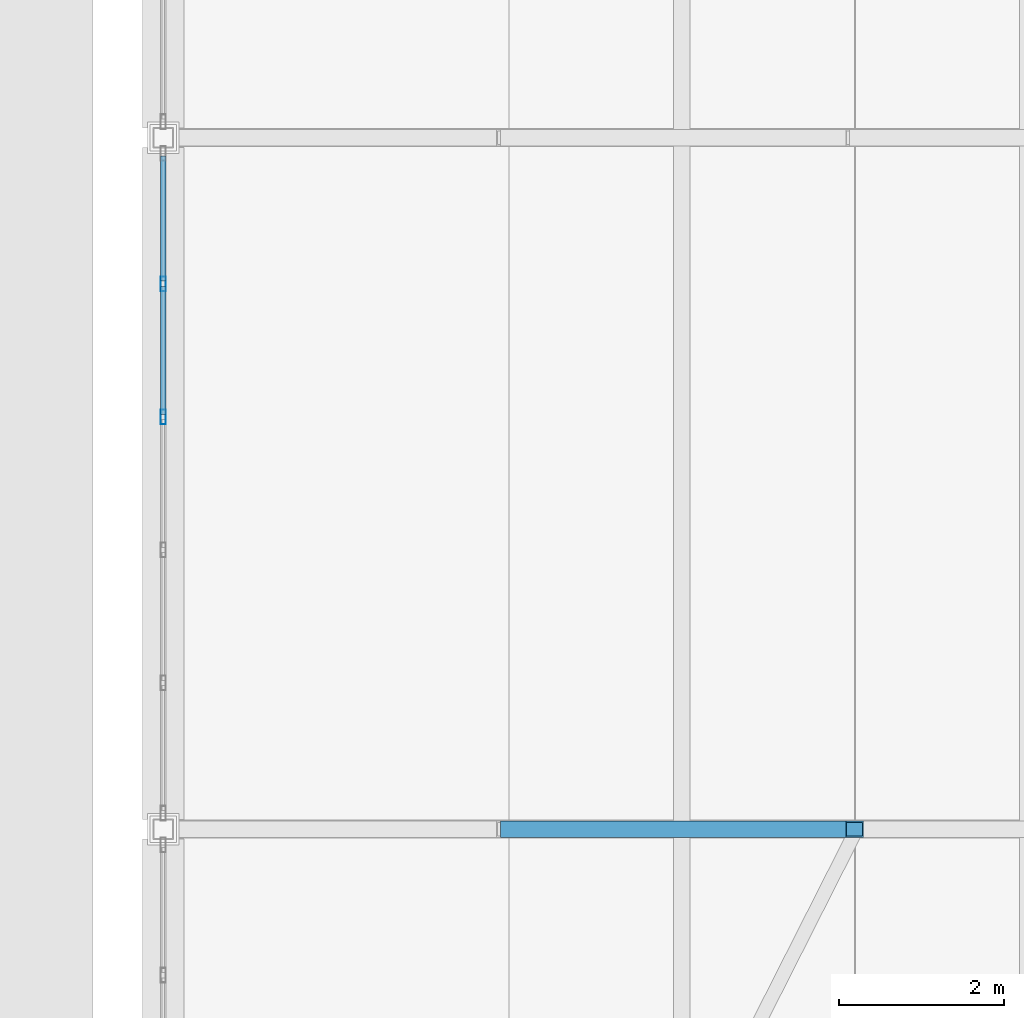
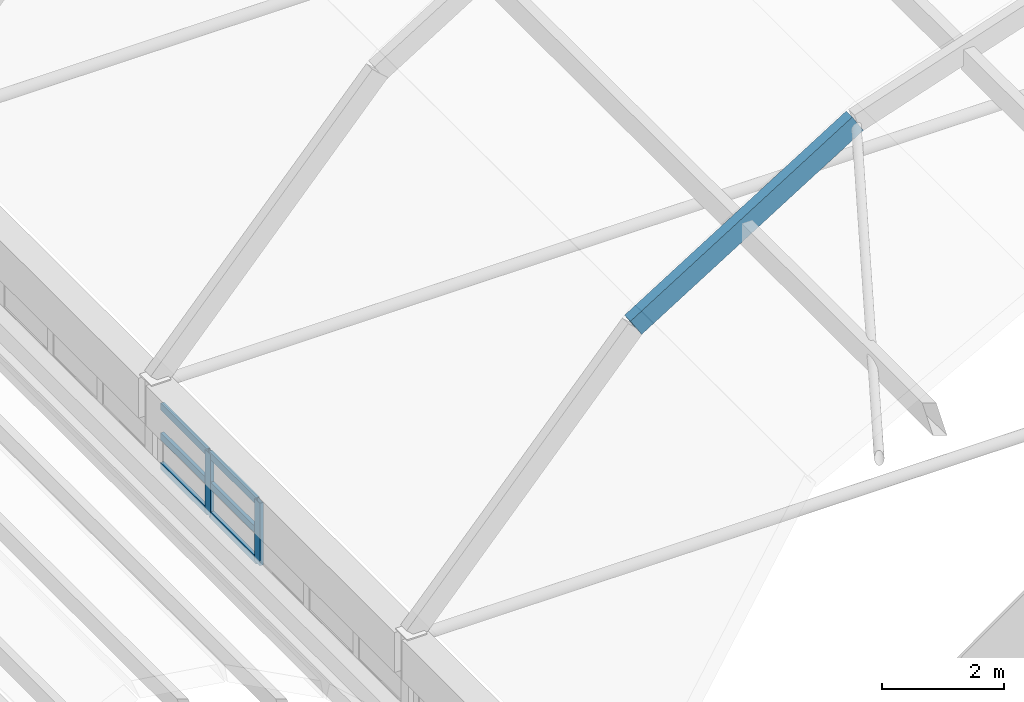
# One storey, part 15 of 114: 8 members, 1 beam, 1 element without a shape of its own.
"""IFC4 building model written with IfcOpenShell, lengths in metres."""

from ifc_helpers import new_model, si_unit, direction, frame, origin, origin_2d, place, context, subcontext, project, spatial, hollow_rectangle, extrude, material, layer, layer_set, material_profile, profile_set, type_object, element, aggregate, save


model = new_model("IFC4")

# Units and contexts
model_context = context("Model", 3, precision=1e-05, world=origin(), true_north=direction((0.0, 1.0)))
body_context = subcontext(model_context, "Body", "Model", "MODEL_VIEW")
ifc_project = project(units=[si_unit("LENGTHUNIT", "METRE"), si_unit("AREAUNIT", "SQUARE_METRE"), si_unit("VOLUMEUNIT", "CUBIC_METRE"), si_unit("PLANEANGLEUNIT", "RADIAN"), si_unit("MASSUNIT", "GRAM", prefix="KILO")], contexts=[model_context])

# Site, building, storey
site_placement = place(None, origin())
site = spatial("IfcSite", under=ifc_project, at=site_placement, CompositionType="ELEMENT")
building_placement = place(site_placement, origin())
building = spatial("IfcBuilding", under=site, at=building_placement, Name="Xazarin Passage Department Store", CompositionType="ELEMENT")
storey_placement = place(building_placement, frame((0.0, 0.0, 14.39990234375)))
storey = spatial("IfcBuildingStorey", under=building, at=storey_placement, Name="L03", CompositionType="ELEMENT", Elevation=14.39990234375)

# Curtain wall, members
ifc_material_1 = material(Name="Bronze anodised aluminium", Category="aluminium")
ifc_layer = layer(ifc_material_1, 0.159912109375)
ifc_layer_set = layer_set([ifc_layer], Name="Bronze anodised aluminium")
curtain_wall_type = type_object("IfcCurtainWallType", Name="ARC-CW-ARC1", PredefinedType="NOTDEFINED", material=ifc_layer_set)
curtain_wall_placement = place(storey_placement, origin())
curtain_wall = element("IfcCurtainWall", 1, at=curtain_wall_placement, inside=storey, type_object=curtain_wall_type, Name="L03 V2S Galleria Clerestory Curtain Wall 2W", PredefinedType="NOTDEFINED")
ifc_material_profile_1 = material_profile(ifc_material_1, hollow_rectangle(XDim=0.06494140625, YDim=0.179931640625, WallThickness=0.00390625, at=origin_2d()), Name="ALU 65x180")
ifc_profile_set_1 = profile_set([ifc_material_profile_1], Name="Bronze anodised aluminium")
member_type_1 = type_object("IfcMemberType", Name="ARC-CWM-65x180", PredefinedType="MULLION", material=ifc_profile_set_1)
member_1_placement = place(storey_placement, frame((68.0, 13.407958984375, 0.0), z_axis=(0.0, 0.0, 1.0), x_axis=(-1.0, 0.0, 0.0)))
member_1 = element("IfcMember", 2, at=member_1_placement, type_object=member_type_1, Name="CW3 mullion 4", PredefinedType="MULLION", context=body_context, shape_type="SweptSolid", body=[
    extrude(hollow_rectangle(XDim=0.06494140625, YDim=0.179931640625, WallThickness=0.00390625, at=origin_2d()), origin(), (0.0, 0.0, 1.0), 1.251708984375),
])
member_2_placement = place(storey_placement, frame((68.0, 15.02392578125, 0.0), z_axis=(0.0, 0.0, 1.0), x_axis=(-1.0, 0.0, 0.0)))
member_2 = element("IfcMember", 3, at=member_2_placement, type_object=member_type_1, Name="CW3 mullion 5", PredefinedType="MULLION", context=body_context, shape_type="SweptSolid", body=[
    extrude(hollow_rectangle(XDim=0.06494140625, YDim=0.179931640625, WallThickness=0.00390625, at=origin_2d()), origin(), (0.0, 0.0, 1.0), 1.251708984375),
])
ifc_material_profile_2 = material_profile(ifc_material_1, hollow_rectangle(XDim=0.06494140625, YDim=0.139892578125, WallThickness=0.00390625, at=origin_2d()), Name="ALU 65x140")
ifc_profile_set_2 = profile_set([ifc_material_profile_2], Name="Bronze anodised aluminium")
member_type_2 = type_object("IfcMemberType", Name="ARC-CWT-65x140", PredefinedType="USERDEFINED", material=ifc_profile_set_2)
member_3_placement = place(storey_placement, frame((68.0, 13.4404296875, 0.03271484375), z_axis=(0.0, 1.0, 0.0), x_axis=(-1.0, 0.0, 0.0)))
member_3 = element("IfcMember", 4, at=member_3_placement, type_object=member_type_2, Name="CW3 transom 4.1", ObjectType="TRANSOM", PredefinedType="USERDEFINED", context=body_context, shape_type="SweptSolid", body=[
    extrude(hollow_rectangle(XDim=0.06494140625, YDim=0.139892578125, WallThickness=0.00390625, at=origin_2d()), origin(), (0.0, 0.0, 1.0), 1.551025390625),
])
member_4_placement = place(storey_placement, frame((68.0, 13.4404296875, 0.6259765625), z_axis=(0.0, 1.0, 0.0), x_axis=(-1.0, 0.0, 0.0)))
member_4 = element("IfcMember", 5, at=member_4_placement, type_object=member_type_2, Name="CW3 transom 4.2", ObjectType="TRANSOM", PredefinedType="USERDEFINED", context=body_context, shape_type="SweptSolid", body=[
    extrude(hollow_rectangle(XDim=0.06494140625, YDim=0.139892578125, WallThickness=0.00390625, at=origin_2d()), origin(), (0.0, 0.0, 1.0), 1.551025390625),
])
member_5_placement = place(storey_placement, frame((68.0, 13.4404296875, 1.21923828125), z_axis=(0.0, 1.0, 0.0), x_axis=(-1.0, 0.0, 0.0)))
member_5 = element("IfcMember", 6, at=member_5_placement, type_object=member_type_2, Name="CW3 transom 4.3", ObjectType="TRANSOM", PredefinedType="USERDEFINED", context=body_context, shape_type="SweptSolid", body=[
    extrude(hollow_rectangle(XDim=0.06494140625, YDim=0.139892578125, WallThickness=0.00390625, at=origin_2d()), origin(), (0.0, 0.0, 1.0), 1.551025390625),
])
member_6_placement = place(storey_placement, frame((68.0, 15.056396484375, 0.03271484375), z_axis=(0.0, 1.0, 0.0), x_axis=(-1.0, 0.0, 0.0)))
member_6 = element("IfcMember", 7, at=member_6_placement, type_object=member_type_2, Name="CW3 transom 5.1", ObjectType="TRANSOM", PredefinedType="USERDEFINED", context=body_context, shape_type="SweptSolid", body=[
    extrude(hollow_rectangle(XDim=0.06494140625, YDim=0.139892578125, WallThickness=0.00390625, at=origin_2d()), origin(), (0.0, 0.0, 1.0), 1.5185546875),
])
member_7_placement = place(storey_placement, frame((68.0, 15.056396484375, 0.6259765625), z_axis=(0.0, 1.0, 0.0), x_axis=(-1.0, 0.0, 0.0)))
member_7 = element("IfcMember", 8, at=member_7_placement, type_object=member_type_2, Name="CW3 transom 5.2", ObjectType="TRANSOM", PredefinedType="USERDEFINED", context=body_context, shape_type="SweptSolid", body=[
    extrude(hollow_rectangle(XDim=0.06494140625, YDim=0.139892578125, WallThickness=0.00390625, at=origin_2d()), origin(), (0.0, 0.0, 1.0), 1.5185546875),
])
member_8_placement = place(storey_placement, frame((68.0, 15.056396484375, 1.21923828125), z_axis=(0.0, 1.0, 0.0), x_axis=(-1.0, 0.0, 0.0)))
member_8 = element("IfcMember", 9, at=member_8_placement, type_object=member_type_2, Name="CW3 transom 5.3", ObjectType="TRANSOM", PredefinedType="USERDEFINED", context=body_context, shape_type="SweptSolid", body=[
    extrude(hollow_rectangle(XDim=0.06494140625, YDim=0.139892578125, WallThickness=0.00390625, at=origin_2d()), origin(), (0.0, 0.0, 1.0), 1.5185546875),
])
aggregate(curtain_wall, [member_1, member_2, member_3, member_4, member_5, member_6, member_7, member_8])

# Beam
ifc_material_2 = material(Name="Steel S355", Category="steel")
ifc_material_profile_3 = material_profile(ifc_material_2, hollow_rectangle(XDim=0.199951171875, YDim=0.39990234375, WallThickness=0.01611328125, at=origin_2d()), Name="RHS 400x200x16")
ifc_profile_set_3 = profile_set([ifc_material_profile_3], Name="Steel S355")
beam_type = type_object("IfcBeamType", Name="STR-BM-AR400", PredefinedType="BEAM", material=ifc_profile_set_3)
beam_placement = place(storey_placement, frame((72.199951171875, 8.39990234375, 6.33203125), z_axis=(0.848571440894, 0.0, 0.529080815848), x_axis=(0.0, 1.0, 0.0)))
element("IfcBeam", 10, at=beam_placement, inside=storey, type_object=beam_type, Name="V2S Primary Arch Rib 2.2", PredefinedType="BEAM", context=body_context, shape_type="SweptSolid", body=[
    extrude(hollow_rectangle(XDim=0.199951171875, YDim=0.39990234375, WallThickness=0.01611328125, at=origin_2d()), origin(), (0.0, 0.0, 1.0), 4.949462890625),
])

save(model, "model.ifc")
